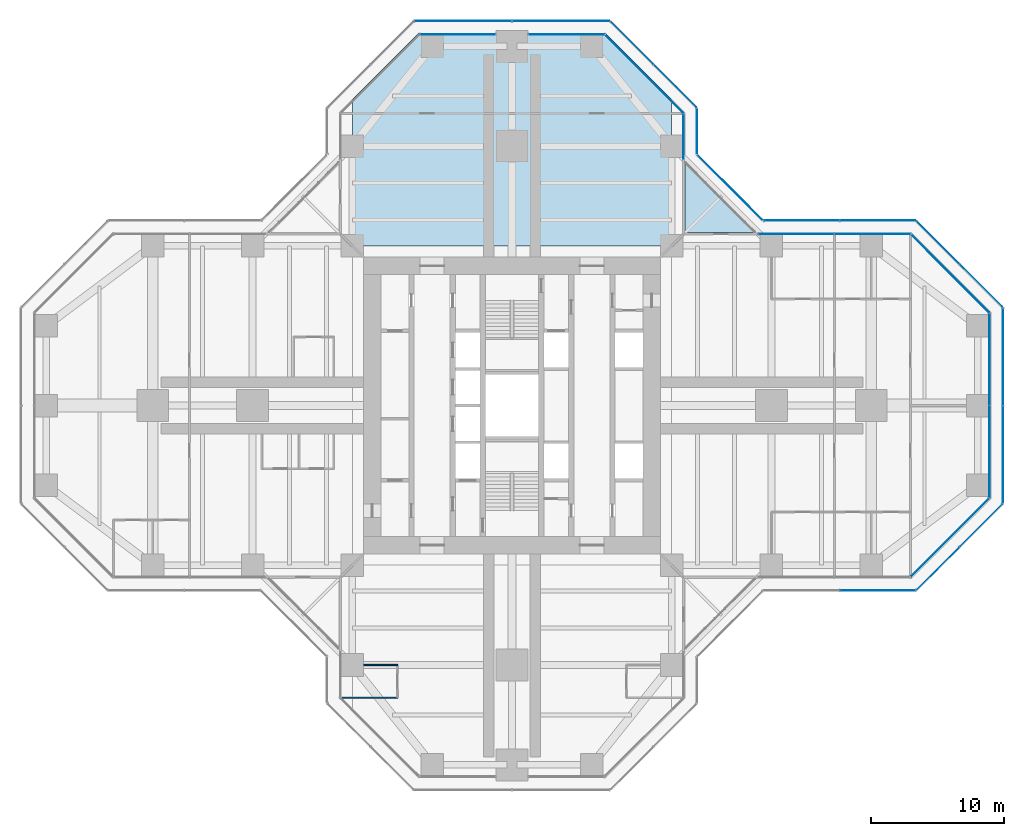
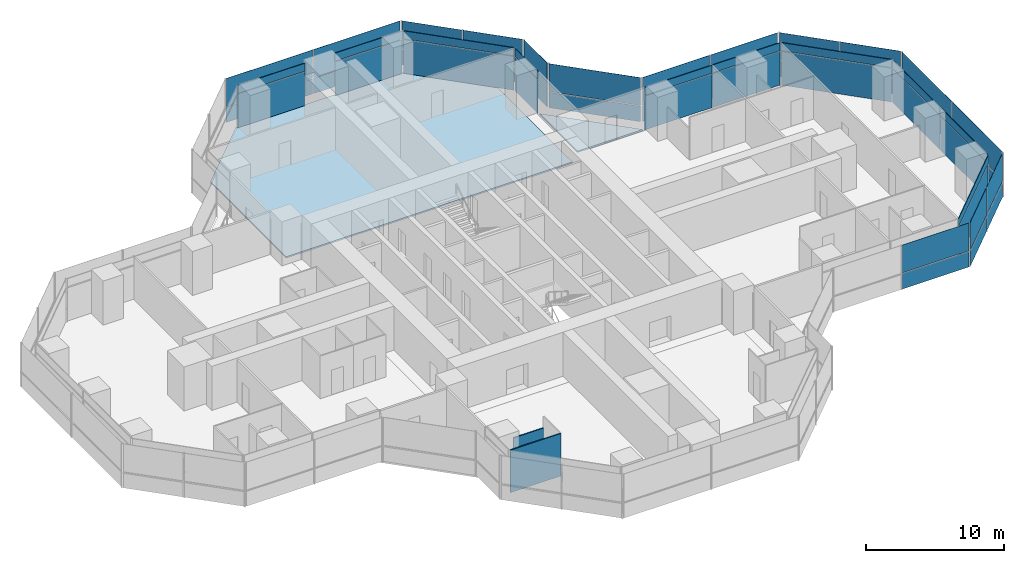
# One storey, part 14 of 20: 50 plates, 2 slabs, 2 walls, 17 elements without a shape of their own.
"""IFC4 building model written with IfcOpenShell, lengths in metres."""

from ifc_helpers import new_model, si_unit, direction, frame, frame_2d, origin, origin_2d, place, context, subcontext, project, spatial, polyline, rectangle, outline, extrude, material, layer, layer_set, type_object, element, aggregate, save


model = new_model("IFC4")

# Units and contexts
model_context = context("Model", 3, precision=1e-05, world=origin(), true_north=direction((0.0, 1.0)))
body_context = subcontext(model_context, "Body", "Model", "MODEL_VIEW")
ifc_project = project(units=[si_unit("LENGTHUNIT", "METRE"), si_unit("AREAUNIT", "SQUARE_METRE"), si_unit("VOLUMEUNIT", "CUBIC_METRE"), si_unit("PLANEANGLEUNIT", "RADIAN"), si_unit("MASSUNIT", "GRAM", prefix="KILO")], contexts=[model_context])

# Site, building, storey
site_placement = place(None, origin())
site = spatial("IfcSite", under=ifc_project, at=site_placement, CompositionType="ELEMENT")
building_placement = place(site_placement, origin())
building = spatial("IfcBuilding", under=site, at=building_placement, Name="Mizan Broadcast Tower", CompositionType="ELEMENT")
storey_placement = place(building_placement, frame((0.0, 0.0, 143.699951171875)))
storey = spatial("IfcBuildingStorey", under=building, at=storey_placement, Name="L32", CompositionType="ELEMENT", Elevation=143.699951171875)

# Slab
ifc_material_1 = material(Name="Concrete C32/40", Category="concrete")
ifc_layer_1 = layer(ifc_material_1, 0.1298828125)
ifc_layer_set_1 = layer_set([ifc_layer_1], Name="Concrete C32/40")
slab_type_1 = type_object("IfcSlabType", Name="COMPOSITE DECK SLAB 130", PredefinedType="FLOOR", material=ifc_layer_set_1)
slab_1_placement = place(storey_placement, frame((0.0, 0.0, -0.1298828125)))
element("IfcSlab", 1, at=slab_1_placement, inside=storey, type_object=slab_type_1, Name="Floor slab L32 north arm", PredefinedType="FLOOR", context=body_context, shape_type="SweptSolid", body=[
    extrude(outline(polyline([(-7.0, 28.0), (-12.0, 23.0), (-12.0, 12.0), (12.0, 12.0), (12.0, 23.0), (7.0, 28.0), (-7.0, 28.0)])), origin(), (0.0, 0.0, 1.0), 0.1298828125),
])

# Curtain wall, plate
ifc_material_2 = material(Name="Aluminium framed glazing", Category="aluminium")
curtain_wall_type_1 = type_object("IfcCurtainWallType", Name="INNER SKIN MID ZONE", PredefinedType="USERDEFINED", material=ifc_material_2)
curtain_wall_1_placement = place(storey_placement, origin())
curtain_wall_1 = element("IfcCurtainWall", 2, at=curtain_wall_1_placement, inside=storey, type_object=curtain_wall_type_1, Name="Inner skin mid zone L32 E chamfer", ObjectType="INNER SKIN MID ZONE", PredefinedType="USERDEFINED")
ifc_material_3 = material(Name="Double glazing, clear low-e", Category="glass")
ifc_layer_2 = layer(ifc_material_3, 0.028076171875)
ifc_layer_set_2 = layer_set([ifc_layer_2], Name="Double glazing, clear low-e")
plate_type_1 = type_object("IfcPlateType", Name="INNER SKIN GLAZING UNIT", PredefinedType="CURTAIN_PANEL", material=ifc_layer_set_2)
plate_1_placement = place(storey_placement, frame((32.92919921875, -9.92919921875, 0.0), z_axis=(0.0, 0.0, 1.0), x_axis=(0.707106781187, 0.707106781187, 0.0)))
plate_1 = element("IfcPlate", 3, at=plate_1_placement, type_object=plate_type_1, Name="Inner skin mid zone L32 E chamfer panel 1.1", PredefinedType="CURTAIN_PANEL", context=body_context, shape_type="SweptSolid", body=[
    extrude(rectangle(XDim=8.282470703125, YDim=0.028076171875, at=origin_2d()), origin(), (0.0, 0.0, 1.0), 3.0),
])

# Curtain wall, plates
curtain_wall_2_placement = place(storey_placement, origin())
curtain_wall_2 = element("IfcCurtainWall", 4, at=curtain_wall_2_placement, inside=storey, type_object=curtain_wall_type_1, Name="Inner skin mid zone L32 E end", ObjectType="INNER SKIN MID ZONE", PredefinedType="USERDEFINED")
plate_2_placement = place(storey_placement, frame((35.89990234375, -3.46435546875, 0.0), z_axis=(0.0, 0.0, 1.0), x_axis=(0.0, 1.0, 0.0)))
plate_2 = element("IfcPlate", 5, at=plate_2_placement, type_object=plate_type_1, Name="Inner skin mid zone L32 E end panel 1.1", PredefinedType="CURTAIN_PANEL", context=body_context, shape_type="SweptSolid", body=[
    extrude(rectangle(XDim=6.86865234375, YDim=0.028076171875, at=origin_2d()), origin(), (0.0, 0.0, 1.0), 3.0),
])
plate_3_placement = place(storey_placement, frame((35.89990234375, 3.46435546875, 0.0), z_axis=(0.0, 0.0, 1.0), x_axis=(0.0, 1.0, 0.0)))
plate_3 = element("IfcPlate", 6, at=plate_3_placement, type_object=plate_type_1, Name="Inner skin mid zone L32 E end panel 2.1", PredefinedType="CURTAIN_PANEL", context=body_context, shape_type="SweptSolid", body=[
    extrude(rectangle(XDim=6.86865234375, YDim=0.028076171875, at=origin_2d()), origin(), (0.0, 0.0, 1.0), 3.0),
])

# Curtain wall, plate
curtain_wall_3_placement = place(storey_placement, origin())
curtain_wall_3 = element("IfcCurtainWall", 7, at=curtain_wall_3_placement, inside=storey, type_object=curtain_wall_type_1, Name="Inner skin mid zone L32 E chamfer", ObjectType="INNER SKIN MID ZONE", PredefinedType="USERDEFINED")
plate_4_placement = place(storey_placement, frame((32.92919921875, 9.92919921875, 0.0), z_axis=(0.0, 0.0, 1.0), x_axis=(-0.707106781187, 0.707106781187, 0.0)))
plate_4 = element("IfcPlate", 8, at=plate_4_placement, type_object=plate_type_1, Name="Inner skin mid zone L32 E chamfer panel 1.1", PredefinedType="CURTAIN_PANEL", context=body_context, shape_type="SweptSolid", body=[
    extrude(rectangle(XDim=8.282470703125, YDim=0.028076171875, at=origin_2d()), origin(), (0.0, 0.0, 1.0), 3.0),
])

# Curtain wall, plates
curtain_wall_4_placement = place(storey_placement, origin())
curtain_wall_4 = element("IfcCurtainWall", 9, at=curtain_wall_4_placement, inside=storey, type_object=curtain_wall_type_1, Name="Inner skin mid zone L32 E side", ObjectType="INNER SKIN MID ZONE", PredefinedType="USERDEFINED")
plate_5_placement = place(storey_placement, frame((27.078857421875, 12.89990234375, 0.0), z_axis=(0.0, 0.0, 1.0), x_axis=(-1.0, 0.0, 0.0)))
plate_5 = element("IfcPlate", 10, at=plate_5_placement, type_object=plate_type_1, Name="Inner skin mid zone L32 E side panel 1.1", PredefinedType="CURTAIN_PANEL", context=body_context, shape_type="SweptSolid", body=[
    extrude(rectangle(XDim=5.639404296875, YDim=0.028076171875, at=origin_2d()), origin(), (0.0, 0.0, 1.0), 3.0),
])
plate_6_placement = place(storey_placement, frame((21.379638671875, 12.89990234375, 0.0), z_axis=(0.0, 0.0, 1.0), x_axis=(-1.0, 0.0, 0.0)))
plate_6 = element("IfcPlate", 11, at=plate_6_placement, type_object=plate_type_1, Name="Inner skin mid zone L32 E side panel 2.1", PredefinedType="CURTAIN_PANEL", context=body_context, shape_type="SweptSolid", body=[
    extrude(rectangle(XDim=5.639404296875, YDim=0.028076171875, at=origin_2d()), origin(), (0.0, 0.0, 1.0), 3.0),
])

# Curtain wall, plate
curtain_wall_5_placement = place(storey_placement, origin())
curtain_wall_5 = element("IfcCurtainWall", 12, at=curtain_wall_5_placement, inside=storey, type_object=curtain_wall_type_1, Name="Inner skin mid zone L32 N side", ObjectType="INNER SKIN MID ZONE", PredefinedType="USERDEFINED")
plate_7_placement = place(storey_placement, frame((12.89990234375, 20.229248046875, 0.0), z_axis=(0.0, 0.0, 1.0), x_axis=(0.0, 1.0, 0.0)))
plate_7 = element("IfcPlate", 13, at=plate_7_placement, type_object=plate_type_1, Name="Inner skin mid zone L32 N side panel 1.1", PredefinedType="CURTAIN_PANEL", context=body_context, shape_type="SweptSolid", body=[
    extrude(rectangle(XDim=3.338623046875, YDim=0.028076171875, at=origin_2d()), origin(), (0.0, 0.0, 1.0), 3.0),
])

curtain_wall_6_placement = place(storey_placement, origin())
curtain_wall_6 = element("IfcCurtainWall", 14, at=curtain_wall_6_placement, inside=storey, type_object=curtain_wall_type_1, Name="Inner skin mid zone L32 N chamfer", ObjectType="INNER SKIN MID ZONE", PredefinedType="USERDEFINED")
plate_8_placement = place(storey_placement, frame((9.92919921875, 24.92919921875, 0.0), z_axis=(0.0, 0.0, 1.0), x_axis=(-0.707106781187, 0.707106781187, 0.0)))
plate_8 = element("IfcPlate", 15, at=plate_8_placement, type_object=plate_type_1, Name="Inner skin mid zone L32 N chamfer panel 1.1", PredefinedType="CURTAIN_PANEL", context=body_context, shape_type="SweptSolid", body=[
    extrude(rectangle(XDim=8.282470703125, YDim=0.028076171875, at=origin_2d()), origin(), (0.0, 0.0, 1.0), 3.0),
])

curtain_wall_7_placement = place(storey_placement, origin())
curtain_wall_7 = element("IfcCurtainWall", 16, at=curtain_wall_7_placement, inside=storey, type_object=curtain_wall_type_1, Name="Inner skin mid zone L32 N end", ObjectType="INNER SKIN MID ZONE", PredefinedType="USERDEFINED")
plate_9_placement = place(storey_placement, frame((4.079345703125, 27.89990234375, 0.0), z_axis=(0.0, 0.0, 1.0), x_axis=(-1.0, 0.0, 0.0)))
plate_9 = element("IfcPlate", 17, at=plate_9_placement, type_object=plate_type_1, Name="Inner skin mid zone L32 N end panel 1.1", PredefinedType="CURTAIN_PANEL", context=body_context, shape_type="SweptSolid", body=[
    extrude(rectangle(XDim=5.638671875, YDim=0.028076171875, at=origin_2d()), origin(), (0.0, 0.0, 1.0), 3.0),
])

curtain_wall_8_placement = place(storey_placement, origin())
curtain_wall_8 = element("IfcCurtainWall", 18, at=curtain_wall_8_placement, inside=storey, type_object=curtain_wall_type_1, Name="Inner skin mid zone L32 N end", ObjectType="INNER SKIN MID ZONE", PredefinedType="USERDEFINED")
plate_10_placement = place(storey_placement, frame((-4.079345703125, 27.89990234375, 0.0), z_axis=(0.0, 0.0, 1.0), x_axis=(-1.0, 0.0, 0.0)))
plate_10 = element("IfcPlate", 19, at=plate_10_placement, type_object=plate_type_1, Name="Inner skin mid zone L32 N end panel 1.1", PredefinedType="CURTAIN_PANEL", context=body_context, shape_type="SweptSolid", body=[
    extrude(rectangle(XDim=5.638671875, YDim=0.028076171875, at=origin_2d()), origin(), (0.0, 0.0, 1.0), 3.0),
])

# Plate
ifc_material_4 = material(Name="Insulated aluminium spandrel panel, pale anodised", Category="aluminium")
ifc_layer_3 = layer(ifc_material_4, 0.050048828125)
ifc_layer_set_3 = layer_set([ifc_layer_3], Name="Insulated aluminium spandrel panel, pale anodised")
plate_type_2 = type_object("IfcPlateType", Name="INNER SKIN SPANDREL PANEL", PredefinedType="CURTAIN_PANEL", material=ifc_layer_set_3)
plate_11_placement = place(storey_placement, frame((32.92919921875, -9.92919921875, 3.06005859375), z_axis=(0.0, 0.0, 1.0), x_axis=(0.707106781187, 0.707106781187, 0.0)))
plate_11 = element("IfcPlate", 20, at=plate_11_placement, type_object=plate_type_2, Name="Inner skin mid zone L32 E chamfer panel 1.2", PredefinedType="CURTAIN_PANEL", context=body_context, shape_type="SweptSolid", body=[
    extrude(rectangle(XDim=8.282470703125, YDim=0.050048828125, at=origin_2d()), origin(), (0.0, 0.0, 1.0), 0.7099609375),
])

aggregate(curtain_wall_1, [plate_1, plate_11])

plate_12_placement = place(storey_placement, frame((35.89990234375, -3.46435546875, 3.06005859375), z_axis=(0.0, 0.0, 1.0), x_axis=(0.0, 1.0, 0.0)))
plate_12 = element("IfcPlate", 21, at=plate_12_placement, type_object=plate_type_2, Name="Inner skin mid zone L32 E end panel 1.2", PredefinedType="CURTAIN_PANEL", context=body_context, shape_type="SweptSolid", body=[
    extrude(rectangle(XDim=6.86865234375, YDim=0.050048828125, at=origin_2d()), origin(), (0.0, 0.0, 1.0), 0.7099609375),
])

plate_13_placement = place(storey_placement, frame((35.89990234375, 3.46435546875, 3.06005859375), z_axis=(0.0, 0.0, 1.0), x_axis=(0.0, 1.0, 0.0)))
plate_13 = element("IfcPlate", 22, at=plate_13_placement, type_object=plate_type_2, Name="Inner skin mid zone L32 E end panel 2.2", PredefinedType="CURTAIN_PANEL", context=body_context, shape_type="SweptSolid", body=[
    extrude(rectangle(XDim=6.86865234375, YDim=0.050048828125, at=origin_2d()), origin(), (0.0, 0.0, 1.0), 0.7099609375),
])

aggregate(curtain_wall_2, [plate_2, plate_12, plate_3, plate_13])

plate_14_placement = place(storey_placement, frame((32.92919921875, 9.92919921875, 3.06005859375), z_axis=(0.0, 0.0, 1.0), x_axis=(-0.707106781187, 0.707106781187, 0.0)))
plate_14 = element("IfcPlate", 23, at=plate_14_placement, type_object=plate_type_2, Name="Inner skin mid zone L32 E chamfer panel 1.2", PredefinedType="CURTAIN_PANEL", context=body_context, shape_type="SweptSolid", body=[
    extrude(rectangle(XDim=8.282470703125, YDim=0.050048828125, at=origin_2d()), origin(), (0.0, 0.0, 1.0), 0.7099609375),
])

aggregate(curtain_wall_3, [plate_4, plate_14])

plate_15_placement = place(storey_placement, frame((27.078857421875, 12.89990234375, 3.06005859375), z_axis=(0.0, 0.0, 1.0), x_axis=(-1.0, 0.0, 0.0)))
plate_15 = element("IfcPlate", 24, at=plate_15_placement, type_object=plate_type_2, Name="Inner skin mid zone L32 E side panel 1.2", PredefinedType="CURTAIN_PANEL", context=body_context, shape_type="SweptSolid", body=[
    extrude(rectangle(XDim=5.639404296875, YDim=0.050048828125, at=origin_2d()), origin(), (0.0, 0.0, 1.0), 0.7099609375),
])

plate_16_placement = place(storey_placement, frame((21.379638671875, 12.89990234375, 3.06005859375), z_axis=(0.0, 0.0, 1.0), x_axis=(-1.0, 0.0, 0.0)))
plate_16 = element("IfcPlate", 25, at=plate_16_placement, type_object=plate_type_2, Name="Inner skin mid zone L32 E side panel 2.2", PredefinedType="CURTAIN_PANEL", context=body_context, shape_type="SweptSolid", body=[
    extrude(rectangle(XDim=5.639404296875, YDim=0.050048828125, at=origin_2d()), origin(), (0.0, 0.0, 1.0), 0.7099609375),
])

aggregate(curtain_wall_4, [plate_5, plate_15, plate_6, plate_16])

plate_17_placement = place(storey_placement, frame((12.89990234375, 20.229248046875, 3.06005859375), z_axis=(0.0, 0.0, 1.0), x_axis=(0.0, 1.0, 0.0)))
plate_17 = element("IfcPlate", 26, at=plate_17_placement, type_object=plate_type_2, Name="Inner skin mid zone L32 N side panel 1.2", PredefinedType="CURTAIN_PANEL", context=body_context, shape_type="SweptSolid", body=[
    extrude(rectangle(XDim=3.338623046875, YDim=0.050048828125, at=origin_2d()), origin(), (0.0, 0.0, 1.0), 0.7099609375),
])

aggregate(curtain_wall_5, [plate_7, plate_17])

plate_18_placement = place(storey_placement, frame((9.92919921875, 24.92919921875, 3.06005859375), z_axis=(0.0, 0.0, 1.0), x_axis=(-0.707106781187, 0.707106781187, 0.0)))
plate_18 = element("IfcPlate", 27, at=plate_18_placement, type_object=plate_type_2, Name="Inner skin mid zone L32 N chamfer panel 1.2", PredefinedType="CURTAIN_PANEL", context=body_context, shape_type="SweptSolid", body=[
    extrude(rectangle(XDim=8.282470703125, YDim=0.050048828125, at=origin_2d()), origin(), (0.0, 0.0, 1.0), 0.7099609375),
])

aggregate(curtain_wall_6, [plate_8, plate_18])

plate_19_placement = place(storey_placement, frame((4.079345703125, 27.89990234375, 3.06005859375), z_axis=(0.0, 0.0, 1.0), x_axis=(-1.0, 0.0, 0.0)))
plate_19 = element("IfcPlate", 28, at=plate_19_placement, type_object=plate_type_2, Name="Inner skin mid zone L32 N end panel 1.2", PredefinedType="CURTAIN_PANEL", context=body_context, shape_type="SweptSolid", body=[
    extrude(rectangle(XDim=5.638671875, YDim=0.050048828125, at=origin_2d()), origin(), (0.0, 0.0, 1.0), 0.7099609375),
])

aggregate(curtain_wall_7, [plate_9, plate_19])

plate_20_placement = place(storey_placement, frame((-4.079345703125, 27.89990234375, 3.06005859375), z_axis=(0.0, 0.0, 1.0), x_axis=(-1.0, 0.0, 0.0)))
plate_20 = element("IfcPlate", 29, at=plate_20_placement, type_object=plate_type_2, Name="Inner skin mid zone L32 N end panel 1.2", PredefinedType="CURTAIN_PANEL", context=body_context, shape_type="SweptSolid", body=[
    extrude(rectangle(XDim=5.638671875, YDim=0.050048828125, at=origin_2d()), origin(), (0.0, 0.0, 1.0), 0.7099609375),
])

aggregate(curtain_wall_8, [plate_10, plate_20])

# Curtain wall, plates
ifc_material_5 = material(Name="Aluminium framed glazing", Category="aluminium")
curtain_wall_type_2 = type_object("IfcCurtainWallType", Name="OUTER SKIN", PredefinedType="USERDEFINED", material=ifc_material_5)
curtain_wall_9_placement = place(storey_placement, origin())
curtain_wall_9 = element("IfcCurtainWall", 30, at=curtain_wall_9_placement, inside=storey, type_object=curtain_wall_type_2, Name="Outer skin L32 E chamfer", ObjectType="OUTER SKIN", PredefinedType="USERDEFINED")
ifc_material_6 = material(Name="Laminated clear glass", Category="glass")
ifc_layer_4 = layer(ifc_material_6, 0.02001953125)
ifc_layer_set_4 = layer_set([ifc_layer_4], Name="Laminated clear glass")
plate_type_3 = type_object("IfcPlateType", Name="OUTER SKIN CLEAR GLASS", PredefinedType="CURTAIN_PANEL", material=ifc_layer_set_4)
plate_21_placement = place(storey_placement, frame((32.018798828125, -12.254150390625, 0.0), z_axis=(0.0, 0.0, 1.0), x_axis=(0.707106781187, 0.707106781187, 0.0)))
plate_21 = element("IfcPlate", 31, at=plate_21_placement, type_object=plate_type_3, Name="Outer skin L32 E chamfer panel 1.1", PredefinedType="CURTAIN_PANEL", context=body_context, shape_type="SweptSolid", body=[
    extrude(rectangle(XDim=4.495361328125, YDim=0.02001953125, at=origin_2d()), origin(), (0.0, 0.0, 1.0), 1.3701171875),
])
plate_22_placement = place(storey_placement, frame((32.018798828125, -12.254150390625, 1.43017578125), z_axis=(0.0, 0.0, 1.0), x_axis=(0.707106781187, 0.707106781187, 0.0)))
plate_22 = element("IfcPlate", 32, at=plate_22_placement, type_object=plate_type_3, Name="Outer skin L32 E chamfer panel 1.2", PredefinedType="CURTAIN_PANEL", context=body_context, shape_type="SweptSolid", body=[
    extrude(rectangle(XDim=4.495361328125, YDim=0.02001953125, at=origin_2d()), origin(), (0.0, 0.0, 1.0), 2.469970703125),
])

curtain_wall_10_placement = place(storey_placement, origin())
curtain_wall_10 = element("IfcCurtainWall", 33, at=curtain_wall_10_placement, inside=storey, type_object=curtain_wall_type_2, Name="Outer skin L32 E end", ObjectType="OUTER SKIN", PredefinedType="USERDEFINED")
plate_23_placement = place(storey_placement, frame((36.89990234375, -3.66650390625, 0.0), z_axis=(0.0, 0.0, 1.0), x_axis=(0.0, 1.0, 0.0)))
plate_23 = element("IfcPlate", 34, at=plate_23_placement, type_object=plate_type_3, Name="Outer skin L32 E end panel 1.1", PredefinedType="CURTAIN_PANEL", context=body_context, shape_type="SweptSolid", body=[
    extrude(rectangle(XDim=7.252685546875, YDim=0.02001953125, at=origin_2d()), origin(), (0.0, 0.0, 1.0), 1.3701171875),
])
plate_24_placement = place(storey_placement, frame((36.89990234375, -3.66650390625, 1.43017578125), z_axis=(0.0, 0.0, 1.0), x_axis=(0.0, 1.0, 0.0)))
plate_24 = element("IfcPlate", 35, at=plate_24_placement, type_object=plate_type_3, Name="Outer skin L32 E end panel 1.2", PredefinedType="CURTAIN_PANEL", context=body_context, shape_type="SweptSolid", body=[
    extrude(rectangle(XDim=7.252685546875, YDim=0.02001953125, at=origin_2d()), origin(), (0.0, 0.0, 1.0), 2.469970703125),
])

curtain_wall_11_placement = place(storey_placement, origin())
curtain_wall_11 = element("IfcCurtainWall", 36, at=curtain_wall_11_placement, inside=storey, type_object=curtain_wall_type_2, Name="Outer skin L32 E chamfer", ObjectType="OUTER SKIN", PredefinedType="USERDEFINED")
plate_25_placement = place(storey_placement, frame((35.254150390625, 9.018798828125, 0.0), z_axis=(0.0, 0.0, 1.0), x_axis=(-0.707106781187, 0.707106781187, 0.0)))
plate_25 = element("IfcPlate", 37, at=plate_25_placement, type_object=plate_type_3, Name="Outer skin L32 E chamfer panel 1.1", PredefinedType="CURTAIN_PANEL", context=body_context, shape_type="SweptSolid", body=[
    extrude(rectangle(XDim=4.495361328125, YDim=0.02001953125, at=origin_2d()), origin(), (0.0, 0.0, 1.0), 1.3701171875),
])
plate_26_placement = place(storey_placement, frame((35.254150390625, 9.018798828125, 1.43017578125), z_axis=(0.0, 0.0, 1.0), x_axis=(-0.707106781187, 0.707106781187, 0.0)))
plate_26 = element("IfcPlate", 38, at=plate_26_placement, type_object=plate_type_3, Name="Outer skin L32 E chamfer panel 1.2", PredefinedType="CURTAIN_PANEL", context=body_context, shape_type="SweptSolid", body=[
    extrude(rectangle(XDim=4.495361328125, YDim=0.02001953125, at=origin_2d()), origin(), (0.0, 0.0, 1.0), 2.469970703125),
])

curtain_wall_12_placement = place(storey_placement, origin())
curtain_wall_12 = element("IfcCurtainWall", 39, at=curtain_wall_12_placement, inside=storey, type_object=curtain_wall_type_2, Name="Outer skin L32 E side", ObjectType="OUTER SKIN", PredefinedType="USERDEFINED")
plate_27_placement = place(storey_placement, frame((27.477783203125, 13.89990234375, 0.0), z_axis=(0.0, 0.0, 1.0), x_axis=(-1.0, 0.0, 0.0)))
plate_27 = element("IfcPlate", 40, at=plate_27_placement, type_object=plate_type_3, Name="Outer skin L32 E side panel 1.1", PredefinedType="CURTAIN_PANEL", context=body_context, shape_type="SweptSolid", body=[
    extrude(rectangle(XDim=5.6298828125, YDim=0.02001953125, at=origin_2d()), origin(), (0.0, 0.0, 1.0), 1.3701171875),
])
plate_28_placement = place(storey_placement, frame((27.477783203125, 13.89990234375, 1.43017578125), z_axis=(0.0, 0.0, 1.0), x_axis=(-1.0, 0.0, 0.0)))
plate_28 = element("IfcPlate", 41, at=plate_28_placement, type_object=plate_type_3, Name="Outer skin L32 E side panel 1.2", PredefinedType="CURTAIN_PANEL", context=body_context, shape_type="SweptSolid", body=[
    extrude(rectangle(XDim=5.6298828125, YDim=0.02001953125, at=origin_2d()), origin(), (0.0, 0.0, 1.0), 2.469970703125),
])
plate_29_placement = place(storey_placement, frame((21.767822265625, 13.89990234375, 0.0), z_axis=(0.0, 0.0, 1.0), x_axis=(-1.0, 0.0, 0.0)))
plate_29 = element("IfcPlate", 42, at=plate_29_placement, type_object=plate_type_3, Name="Outer skin L32 E side panel 2.1", PredefinedType="CURTAIN_PANEL", context=body_context, shape_type="SweptSolid", body=[
    extrude(rectangle(XDim=5.6298828125, YDim=0.02001953125, at=origin_2d()), origin(), (0.0, 0.0, 1.0), 1.3701171875),
])
plate_30_placement = place(storey_placement, frame((21.767822265625, 13.89990234375, 1.43017578125), z_axis=(0.0, 0.0, 1.0), x_axis=(-1.0, 0.0, 0.0)))
plate_30 = element("IfcPlate", 43, at=plate_30_placement, type_object=plate_type_3, Name="Outer skin L32 E side panel 2.2", PredefinedType="CURTAIN_PANEL", context=body_context, shape_type="SweptSolid", body=[
    extrude(rectangle(XDim=5.6298828125, YDim=0.02001953125, at=origin_2d()), origin(), (0.0, 0.0, 1.0), 2.469970703125),
])
aggregate(curtain_wall_12, [plate_27, plate_28, plate_29, plate_30])

curtain_wall_13_placement = place(storey_placement, origin())
curtain_wall_13 = element("IfcCurtainWall", 44, at=curtain_wall_13_placement, inside=storey, type_object=curtain_wall_type_2, Name="Outer skin L32 E chamfer", ObjectType="OUTER SKIN", PredefinedType="USERDEFINED")
plate_31_placement = place(storey_placement, frame((16.386474609375, 16.386474609375, 0.0), z_axis=(0.0, 0.0, 1.0), x_axis=(-0.707106781187, 0.707106781187, 0.0)))
plate_31 = element("IfcPlate", 45, at=plate_31_placement, type_object=plate_type_3, Name="Outer skin L32 E chamfer panel 1.1", PredefinedType="CURTAIN_PANEL", context=body_context, shape_type="SweptSolid", body=[
    extrude(rectangle(XDim=6.87255859375, YDim=0.02001953125, at=origin_2d()), origin(), (0.0, 0.0, 1.0), 1.3701171875),
])
plate_32_placement = place(storey_placement, frame((16.386474609375, 16.386474609375, 1.43017578125), z_axis=(0.0, 0.0, 1.0), x_axis=(-0.707106781187, 0.707106781187, 0.0)))
plate_32 = element("IfcPlate", 46, at=plate_32_placement, type_object=plate_type_3, Name="Outer skin L32 E chamfer panel 1.2", PredefinedType="CURTAIN_PANEL", context=body_context, shape_type="SweptSolid", body=[
    extrude(rectangle(XDim=6.87255859375, YDim=0.02001953125, at=origin_2d()), origin(), (0.0, 0.0, 1.0), 2.469970703125),
])
aggregate(curtain_wall_13, [plate_31, plate_32])

curtain_wall_14_placement = place(storey_placement, origin())
curtain_wall_14 = element("IfcCurtainWall", 47, at=curtain_wall_14_placement, inside=storey, type_object=curtain_wall_type_2, Name="Outer skin L32 N side", ObjectType="OUTER SKIN", PredefinedType="USERDEFINED")
plate_33_placement = place(storey_placement, frame((13.89990234375, 20.622802734375, 0.0), z_axis=(0.0, 0.0, 1.0), x_axis=(0.0, 1.0, 0.0)))
plate_33 = element("IfcPlate", 48, at=plate_33_placement, type_object=plate_type_3, Name="Outer skin L32 N side panel 1.1", PredefinedType="CURTAIN_PANEL", context=body_context, shape_type="SweptSolid", body=[
    extrude(rectangle(XDim=3.340087890625, YDim=0.02001953125, at=origin_2d()), origin(), (0.0, 0.0, 1.0), 1.3701171875),
])
plate_34_placement = place(storey_placement, frame((13.89990234375, 20.622802734375, 1.43017578125), z_axis=(0.0, 0.0, 1.0), x_axis=(0.0, 1.0, 0.0)))
plate_34 = element("IfcPlate", 49, at=plate_34_placement, type_object=plate_type_3, Name="Outer skin L32 N side panel 1.2", PredefinedType="CURTAIN_PANEL", context=body_context, shape_type="SweptSolid", body=[
    extrude(rectangle(XDim=3.340087890625, YDim=0.02001953125, at=origin_2d()), origin(), (0.0, 0.0, 1.0), 2.469970703125),
])
aggregate(curtain_wall_14, [plate_33, plate_34])

curtain_wall_15_placement = place(storey_placement, origin())
curtain_wall_15 = element("IfcCurtainWall", 50, at=curtain_wall_15_placement, inside=storey, type_object=curtain_wall_type_2, Name="Outer skin L32 N chamfer", ObjectType="OUTER SKIN", PredefinedType="USERDEFINED")
plate_35_placement = place(storey_placement, frame((12.254150390625, 24.018798828125, 0.0), z_axis=(0.0, 0.0, 1.0), x_axis=(-0.707106781187, 0.707106781187, 0.0)))
plate_35 = element("IfcPlate", 51, at=plate_35_placement, type_object=plate_type_3, Name="Outer skin L32 N chamfer panel 1.1", PredefinedType="CURTAIN_PANEL", context=body_context, shape_type="SweptSolid", body=[
    extrude(rectangle(XDim=4.495361328125, YDim=0.02001953125, at=origin_2d()), origin(), (0.0, 0.0, 1.0), 1.3701171875),
])
plate_36_placement = place(storey_placement, frame((12.254150390625, 24.018798828125, 1.43017578125), z_axis=(0.0, 0.0, 1.0), x_axis=(-0.707106781187, 0.707106781187, 0.0)))
plate_36 = element("IfcPlate", 52, at=plate_36_placement, type_object=plate_type_3, Name="Outer skin L32 N chamfer panel 1.2", PredefinedType="CURTAIN_PANEL", context=body_context, shape_type="SweptSolid", body=[
    extrude(rectangle(XDim=4.495361328125, YDim=0.02001953125, at=origin_2d()), origin(), (0.0, 0.0, 1.0), 2.469970703125),
])

curtain_wall_16_placement = place(storey_placement, origin())
curtain_wall_16 = element("IfcCurtainWall", 53, at=curtain_wall_16_placement, inside=storey, type_object=curtain_wall_type_2, Name="Outer skin L32 N end", ObjectType="OUTER SKIN", PredefinedType="USERDEFINED")
plate_37_placement = place(storey_placement, frame((3.66650390625, 28.89990234375, 0.0), z_axis=(0.0, 0.0, 1.0), x_axis=(-1.0, 0.0, 0.0)))
plate_37 = element("IfcPlate", 54, at=plate_37_placement, type_object=plate_type_3, Name="Outer skin L32 N end panel 1.1", PredefinedType="CURTAIN_PANEL", context=body_context, shape_type="SweptSolid", body=[
    extrude(rectangle(XDim=7.252685546875, YDim=0.02001953125, at=origin_2d()), origin(), (0.0, 0.0, 1.0), 1.3701171875),
])
plate_38_placement = place(storey_placement, frame((3.66650390625, 28.89990234375, 1.43017578125), z_axis=(0.0, 0.0, 1.0), x_axis=(-1.0, 0.0, 0.0)))
plate_38 = element("IfcPlate", 55, at=plate_38_placement, type_object=plate_type_3, Name="Outer skin L32 N end panel 1.2", PredefinedType="CURTAIN_PANEL", context=body_context, shape_type="SweptSolid", body=[
    extrude(rectangle(XDim=7.252685546875, YDim=0.02001953125, at=origin_2d()), origin(), (0.0, 0.0, 1.0), 2.469970703125),
])
plate_39_placement = place(storey_placement, frame((-3.66650390625, 28.89990234375, 0.0), z_axis=(0.0, 0.0, 1.0), x_axis=(-1.0, 0.0, 0.0)))
plate_39 = element("IfcPlate", 56, at=plate_39_placement, type_object=plate_type_3, Name="Outer skin L32 N end panel 2.1", PredefinedType="CURTAIN_PANEL", context=body_context, shape_type="SweptSolid", body=[
    extrude(rectangle(XDim=7.252685546875, YDim=0.02001953125, at=origin_2d()), origin(), (0.0, 0.0, 1.0), 1.3701171875),
])
plate_40_placement = place(storey_placement, frame((-3.66650390625, 28.89990234375, 1.43017578125), z_axis=(0.0, 0.0, 1.0), x_axis=(-1.0, 0.0, 0.0)))
plate_40 = element("IfcPlate", 57, at=plate_40_placement, type_object=plate_type_3, Name="Outer skin L32 N end panel 2.2", PredefinedType="CURTAIN_PANEL", context=body_context, shape_type="SweptSolid", body=[
    extrude(rectangle(XDim=7.252685546875, YDim=0.02001953125, at=origin_2d()), origin(), (0.0, 0.0, 1.0), 2.469970703125),
])
aggregate(curtain_wall_16, [plate_37, plate_38, plate_39, plate_40])

# Plate
ifc_material_7 = material(Name="Perforated aluminium, pale anodised", Category="aluminium")
ifc_layer_5 = layer(ifc_material_7, 0.011962890625)
ifc_layer_set_5 = layer_set([ifc_layer_5], Name="Perforated aluminium, pale anodised")
plate_type_4 = type_object("IfcPlateType", Name="OUTER SKIN PERFORATED SCREEN", PredefinedType="USERDEFINED", material=ifc_layer_set_5)
plate_41_placement = place(storey_placement, frame((35.254150390625, -9.018798828125, 0.0), z_axis=(0.0, 0.0, 1.0), x_axis=(0.707106781187, 0.707106781187, 0.0)))
plate_41 = element("IfcPlate", 58, at=plate_41_placement, type_object=plate_type_4, Name="Outer skin L32 E chamfer panel 2.1", ObjectType="SCREEN", PredefinedType="USERDEFINED", context=body_context, shape_type="SweptSolid", body=[
    extrude(rectangle(XDim=4.495361328125, YDim=0.011962890625, at=origin_2d()), origin(), (0.0, 0.0, 1.0), 1.3701171875),
])

plate_42_placement = place(storey_placement, frame((35.254150390625, -9.018798828125, 1.43017578125), z_axis=(0.0, 0.0, 1.0), x_axis=(0.707106781187, 0.707106781187, 0.0)))
plate_42 = element("IfcPlate", 59, at=plate_42_placement, type_object=plate_type_4, Name="Outer skin L32 E chamfer panel 2.2", ObjectType="SCREEN", PredefinedType="USERDEFINED", context=body_context, shape_type="SweptSolid", body=[
    extrude(rectangle(XDim=4.495361328125, YDim=0.011962890625, at=origin_2d()), origin(), (0.0, 0.0, 1.0), 2.469970703125),
])

aggregate(curtain_wall_9, [plate_21, plate_22, plate_41, plate_42])

plate_43_placement = place(storey_placement, frame((36.89990234375, 3.66650390625, 0.0), z_axis=(0.0, 0.0, 1.0), x_axis=(0.0, 1.0, 0.0)))
plate_43 = element("IfcPlate", 60, at=plate_43_placement, type_object=plate_type_4, Name="Outer skin L32 E end panel 2.1", ObjectType="SCREEN", PredefinedType="USERDEFINED", context=body_context, shape_type="SweptSolid", body=[
    extrude(rectangle(XDim=7.252685546875, YDim=0.011962890625, at=origin_2d()), origin(), (0.0, 0.0, 1.0), 1.3701171875),
])

plate_44_placement = place(storey_placement, frame((36.89990234375, 3.66650390625, 1.43017578125), z_axis=(0.0, 0.0, 1.0), x_axis=(0.0, 1.0, 0.0)))
plate_44 = element("IfcPlate", 61, at=plate_44_placement, type_object=plate_type_4, Name="Outer skin L32 E end panel 2.2", ObjectType="SCREEN", PredefinedType="USERDEFINED", context=body_context, shape_type="SweptSolid", body=[
    extrude(rectangle(XDim=7.252685546875, YDim=0.011962890625, at=origin_2d()), origin(), (0.0, 0.0, 1.0), 2.469970703125),
])

aggregate(curtain_wall_10, [plate_23, plate_24, plate_43, plate_44])

plate_45_placement = place(storey_placement, frame((32.018798828125, 12.254150390625, 0.0), z_axis=(0.0, 0.0, 1.0), x_axis=(-0.707106781187, 0.707106781187, 0.0)))
plate_45 = element("IfcPlate", 62, at=plate_45_placement, type_object=plate_type_4, Name="Outer skin L32 E chamfer panel 2.1", ObjectType="SCREEN", PredefinedType="USERDEFINED", context=body_context, shape_type="SweptSolid", body=[
    extrude(rectangle(XDim=4.495361328125, YDim=0.011962890625, at=origin_2d()), origin(), (0.0, 0.0, 1.0), 1.3701171875),
])

plate_46_placement = place(storey_placement, frame((32.018798828125, 12.254150390625, 1.43017578125), z_axis=(0.0, 0.0, 1.0), x_axis=(-0.707106781187, 0.707106781187, 0.0)))
plate_46 = element("IfcPlate", 63, at=plate_46_placement, type_object=plate_type_4, Name="Outer skin L32 E chamfer panel 2.2", ObjectType="SCREEN", PredefinedType="USERDEFINED", context=body_context, shape_type="SweptSolid", body=[
    extrude(rectangle(XDim=4.495361328125, YDim=0.011962890625, at=origin_2d()), origin(), (0.0, 0.0, 1.0), 2.469970703125),
])

aggregate(curtain_wall_11, [plate_25, plate_26, plate_45, plate_46])

plate_47_placement = place(storey_placement, frame((9.018798828125, 27.254150390625, 0.0), z_axis=(0.0, 0.0, 1.0), x_axis=(-0.707106781187, 0.707106781187, 0.0)))
plate_47 = element("IfcPlate", 64, at=plate_47_placement, type_object=plate_type_4, Name="Outer skin L32 N chamfer panel 2.1", ObjectType="SCREEN", PredefinedType="USERDEFINED", context=body_context, shape_type="SweptSolid", body=[
    extrude(rectangle(XDim=4.495361328125, YDim=0.011962890625, at=origin_2d()), origin(), (0.0, 0.0, 1.0), 1.3701171875),
])

plate_48_placement = place(storey_placement, frame((9.018798828125, 27.254150390625, 1.43017578125), z_axis=(0.0, 0.0, 1.0), x_axis=(-0.707106781187, 0.707106781187, 0.0)))
plate_48 = element("IfcPlate", 65, at=plate_48_placement, type_object=plate_type_4, Name="Outer skin L32 N chamfer panel 2.2", ObjectType="SCREEN", PredefinedType="USERDEFINED", context=body_context, shape_type="SweptSolid", body=[
    extrude(rectangle(XDim=4.495361328125, YDim=0.011962890625, at=origin_2d()), origin(), (0.0, 0.0, 1.0), 2.469970703125),
])

aggregate(curtain_wall_15, [plate_35, plate_36, plate_47, plate_48])

# Curtain wall, plates
curtain_wall_17_placement = place(storey_placement, origin())
curtain_wall_17 = element("IfcCurtainWall", 66, at=curtain_wall_17_placement, inside=storey, type_object=curtain_wall_type_2, Name="Outer skin L32 E side", ObjectType="OUTER SKIN", PredefinedType="USERDEFINED")
plate_49_placement = place(storey_placement, frame((27.477783203125, -13.89990234375, 0.0), z_axis=(0.0, 0.0, 1.0), x_axis=(1.0, 0.0, 0.0)))
plate_49 = element("IfcPlate", 67, at=plate_49_placement, type_object=plate_type_4, Name="Outer skin L32 E side panel 2.1", ObjectType="SCREEN", PredefinedType="USERDEFINED", context=body_context, shape_type="SweptSolid", body=[
    extrude(rectangle(XDim=5.6298828125, YDim=0.011962890625, at=origin_2d()), origin(), (0.0, 0.0, 1.0), 1.3701171875),
])
plate_50_placement = place(storey_placement, frame((27.477783203125, -13.89990234375, 1.43017578125), z_axis=(0.0, 0.0, 1.0), x_axis=(1.0, 0.0, 0.0)))
plate_50 = element("IfcPlate", 68, at=plate_50_placement, type_object=plate_type_4, Name="Outer skin L32 E side panel 2.2", ObjectType="SCREEN", PredefinedType="USERDEFINED", context=body_context, shape_type="SweptSolid", body=[
    extrude(rectangle(XDim=5.6298828125, YDim=0.011962890625, at=origin_2d()), origin(), (0.0, 0.0, 1.0), 2.469970703125),
])
aggregate(curtain_wall_17, [plate_49, plate_50])

# Slab
ifc_material_8 = material(Name="Concrete C32/40", Category="concrete")
ifc_layer_6 = layer(ifc_material_8, 0.1298828125)
ifc_layer_set_6 = layer_set([ifc_layer_6], Name="Concrete C32/40")
slab_type_2 = type_object("IfcSlabType", Name="WINTER GARDEN SLAB 130", PredefinedType="FLOOR", material=ifc_layer_set_6)
slab_2_placement = place(storey_placement, frame((0.0, 0.0, -0.1298828125)))
element("IfcSlab", 69, at=slab_2_placement, inside=storey, type_object=slab_type_2, Name="Winter garden slab L32 E", PredefinedType="FLOOR", context=body_context, shape_type="SweptSolid", body=[
    extrude(outline(polyline([(13.0, 13.0), (18.5, 13.0), (13.0, 18.5), (13.0, 13.0)])), origin(), (0.0, 0.0, 1.0), 0.1298828125),
])

# Walls
ifc_material_9 = material(Name="Glazed aluminium partition on aluminium track", Category="aluminium")
ifc_layer_7 = layer(ifc_material_9, 0.10009765625)
ifc_layer_set_7 = layer_set([ifc_layer_7], Name="Glazed aluminium partition on aluminium track")
wall_type = type_object("IfcWallType", Name="PARTITION GLAZED OFFICE FRONT 100", PredefinedType="PARTITIONING", material=ifc_layer_set_7)
wall_1_placement = place(storey_placement, frame((-8.60009765625, -19.5, 0.0), z_axis=(0.0, 0.0, 1.0), x_axis=(-1.0, 0.0, 0.0)))
element("IfcWall", 70, at=wall_1_placement, inside=storey, type_object=wall_type, Name="Glazed office front PT/SQN1950", PredefinedType="PARTITIONING", context=body_context, shape_type="SweptSolid", body=[
    extrude(rectangle(XDim=2.5498046875, YDim=0.10009765625, at=frame_2d((1.27490234375, 0.0))), origin(), (0.0, 0.0, 1.0), 2.77001953125),
])
wall_2_placement = place(storey_placement, frame((-8.60009765625, -21.958984375, 0.0), z_axis=(0.0, 0.0, 1.0), x_axis=(-1.0, 0.0, 0.0)))
element("IfcWall", 71, at=wall_2_placement, inside=storey, type_object=wall_type, Name="Glazed office front PT/SQN2196", PredefinedType="PARTITIONING", context=body_context, shape_type="SweptSolid", body=[
    extrude(rectangle(XDim=4.219970703125, YDim=0.10009765625, at=frame_2d((2.10986328125, 0.0))), origin(), (0.0, 0.0, 1.0), 3.77001953125),
])

save(model, "model.ifc")
